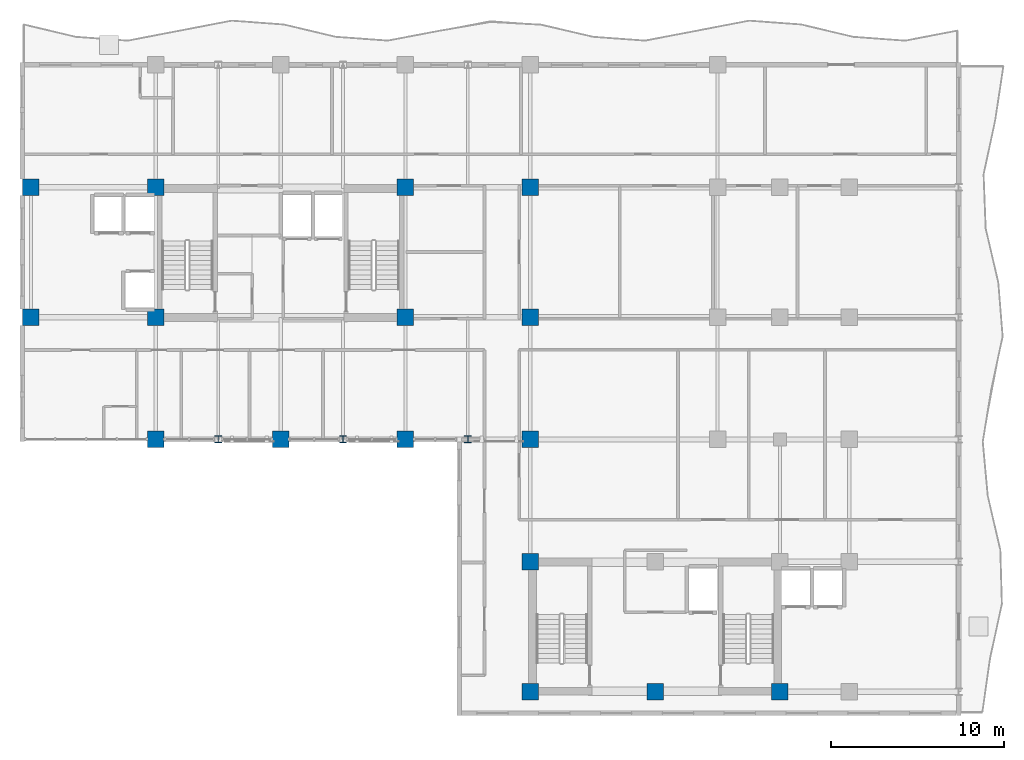
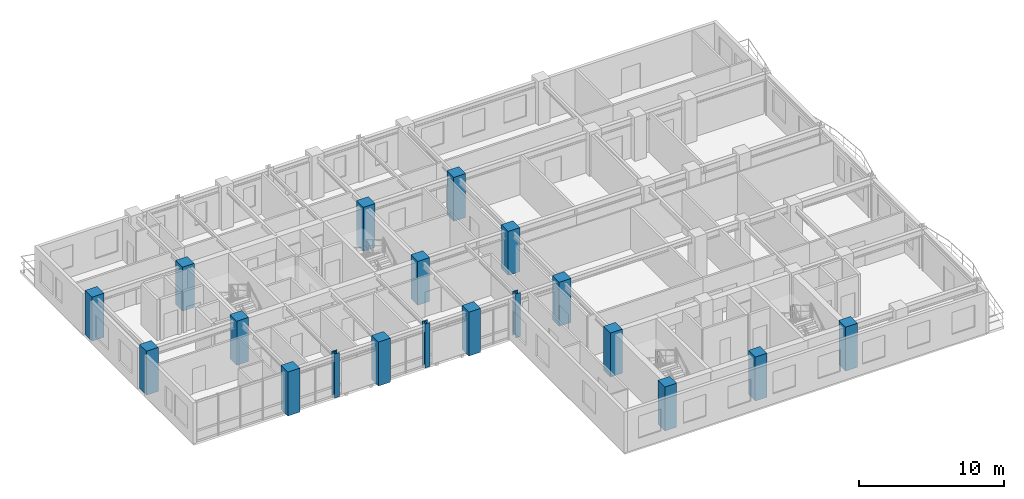
# One storey, part 1 of 16: 19 columns.
"""IFC4 building model written with IfcOpenShell, lengths in metres."""

import ifcopenshell
import ifcopenshell.guid

model = None  # the IFC model being written
_history = None  # IfcOwnerHistory: only IFC2X3 demands one
_inside = {}  # id of a spatial element -> (the spatial element, [elements in it])
_under = {}  # id of a project, library or spatial element -> (it, [spatial elements below it])
_declared = {}  # id of a project -> (the project, [libraries it declares])
_typed = {}  # id of a type object -> (the type object, [elements of that type])
_made_of = {}  # id of a material, layer set ... -> (it, [elements and type objects made of it])


def new_model(schema):
    """Start an empty IFC model of exactly this schema.

    Asked for "IFC4X3", IfcOpenShell would pick the latest addendum, in which some entities
    have other attributes; the version numbers below select the first issue.
    IFC2X3 requires an IfcOwnerHistory on every rooted entity: one is made here for all.
    """
    global model, _history
    if schema == "IFC4X3":
        model = ifcopenshell.file(schema_version=(4, 3, 0, 0))
    else:
        model = ifcopenshell.file(schema=schema)
    _inside.clear()
    _under.clear()
    _declared.clear()
    _typed.clear()
    _made_of.clear()
    _history = None
    if model.schema == "IFC2X3":
        org = make("IfcOrganization", Name="unknown")
        user = make(
            "IfcPersonAndOrganization",
            ThePerson=make("IfcPerson", FamilyName="unknown"),
            TheOrganization=org,
        )
        app = make(
            "IfcApplication",
            ApplicationDeveloper=org,
            Version="unknown",
            ApplicationFullName="unknown",
            ApplicationIdentifier="unknown",
        )
        _history = make(
            "IfcOwnerHistory",
            OwningUser=user,
            OwningApplication=app,
            ChangeAction="ADDED",
            CreationDate=0,
        )
    return model


def make(cls, **values):
    """One entity of the class cls with the attributes given. An attribute that is None is left unset."""
    return model.create_entity(
        cls, **{name: value for name, value in values.items() if value is not None}
    )


def rooted(cls, **values):
    """An entity with a GlobalId (a new one), such as an element, a storey or a relation."""
    return make(cls, GlobalId=ifcopenshell.guid.new(), OwnerHistory=_history, **values)


def si_unit(unit_type, name, prefix=None):
    """IfcSIUnit, for example si_unit("LENGTHUNIT", "METRE", prefix="MILLI")."""
    return make("IfcSIUnit", UnitType=unit_type, Prefix=prefix, Name=name)


def assignment(units):
    """IfcUnitAssignment: the units of a project."""
    return None if units is None else make("IfcUnitAssignment", Units=units)


def point(xyz):
    """IfcCartesianPoint."""
    return None if xyz is None else make("IfcCartesianPoint", Coordinates=xyz)


def direction(xyz):
    """IfcDirection."""
    return None if xyz is None else make("IfcDirection", DirectionRatios=xyz)


def frame(location, z_axis=None, x_axis=None):
    """IfcAxis2Placement3D, a coordinate frame: its origin and axes. An axis left out is left unset."""
    return make(
        "IfcAxis2Placement3D",
        Location=point(location),
        Axis=direction(z_axis),
        RefDirection=direction(x_axis),
    )


def frame_2d(location, x_axis=None):
    """IfcAxis2Placement2D, a coordinate frame in the plane: its origin and x axis."""
    return make(
        "IfcAxis2Placement2D", Location=point(location), RefDirection=direction(x_axis)
    )


def origin():
    """The frame at (0, 0, 0) with its axes left unset."""
    return frame((0.0, 0.0, 0.0))


def origin_2d():
    """The frame at (0, 0) in the plane with its x axis left unset."""
    return frame_2d((0.0, 0.0))


def place(relative_to, where):
    """IfcLocalPlacement: puts the frame where relative to a parent placement (None: the world)."""
    return make(
        "IfcLocalPlacement", PlacementRelTo=relative_to, RelativePlacement=where
    )


def context(
    kind, dimensions, precision=None, world=None, true_north=None, identifier=None
):
    """IfcGeometricRepresentationContext, for example the 3D "Model" context."""
    return make(
        "IfcGeometricRepresentationContext",
        ContextIdentifier=identifier,
        ContextType=kind,
        CoordinateSpaceDimension=dimensions,
        Precision=precision,
        WorldCoordinateSystem=world,
        TrueNorth=true_north,
    )


def subcontext(parent, identifier, kind, view, scale=None):
    """IfcGeometricRepresentationSubContext, for example "Body" below "Model"."""
    return make(
        "IfcGeometricRepresentationSubContext",
        ContextIdentifier=identifier,
        ContextType=kind,
        ParentContext=parent,
        TargetScale=scale,
        TargetView=view,
    )


def project(units=None, contexts=None):
    """IfcProject with its units and contexts."""
    return rooted(
        "IfcProject",
        Name="project",
        RepresentationContexts=contexts,
        UnitsInContext=assignment(units),
    )


def spatial(cls, under=None, at=None, **own):
    """A site, building, storey or space (cls), placed at a placement, below another one or the project."""
    s = rooted(cls, ObjectPlacement=at, **own)
    if under is not None:
        _under.setdefault(under.id(), (under, []))[1].append(s)
    return s


def profile(cls, at=None, kind="AREA", **sizes):
    """A parametric profile (cls). Its sizes go by their IFC names, for example OverallWidth=200.0."""
    return make(cls, ProfileType=kind, Position=at, **sizes)


def rectangle(**sizes):
    """IfcRectangleProfileDef."""
    return profile("IfcRectangleProfileDef", **sizes)


def i_section(**sizes):
    """IfcIShapeProfileDef."""
    return profile("IfcIShapeProfileDef", **sizes)


def extrude(swept, where, along, depth):
    """IfcExtrudedAreaSolid: the profile swept, set in the frame where, extruded along a direction by depth."""
    return make(
        "IfcExtrudedAreaSolid",
        SweptArea=swept,
        Position=where,
        ExtrudedDirection=direction(along),
        Depth=depth,
    )


def shape(context_of_items, identifier, shape_type, items):
    """IfcShapeRepresentation: the items that make up one representation, for example the "Body"."""
    return make(
        "IfcShapeRepresentation",
        ContextOfItems=context_of_items,
        RepresentationIdentifier=identifier,
        RepresentationType=shape_type,
        Items=items,
    )


def source(mapping_origin, context_of_items, identifier, shape_type, items):
    """IfcRepresentationMap: a shape defined once, which mapped items show again and again."""
    return make(
        "IfcRepresentationMap",
        MappingOrigin=mapping_origin,
        MappedRepresentation=shape(context_of_items, identifier, shape_type, items),
    )


def transform(
    local_origin,
    x_axis=None,
    y_axis=None,
    z_axis=None,
    scale=None,
    scale2=None,
    scale3=None,
    uniform=True,
):
    """IfcCartesianTransformationOperator3D, or its non-uniform kind. x_axis, y_axis, z_axis: its Axis1, 2, 3."""
    if uniform:
        return make(
            "IfcCartesianTransformationOperator3D",
            Axis1=direction(x_axis),
            Axis2=direction(y_axis),
            LocalOrigin=point(local_origin),
            Scale=scale,
            Axis3=direction(z_axis),
        )
    return make(
        "IfcCartesianTransformationOperator3DnonUniform",
        Axis1=direction(x_axis),
        Axis2=direction(y_axis),
        LocalOrigin=point(local_origin),
        Scale=scale,
        Axis3=direction(z_axis),
        Scale2=scale2,
        Scale3=scale3,
    )


def mapped(mapping_source, mapping_target):
    """IfcMappedItem: shows the shape of a source again, moved by a transform."""
    return make(
        "IfcMappedItem", MappingSource=mapping_source, MappingTarget=mapping_target
    )


def material(Name=None, Category=None):
    """IfcMaterial."""
    return make("IfcMaterial", Name=Name, Category=Category)


def material_profile(
    of_material, cross_section, Name=None, Category=None, Priority=None
):
    """IfcMaterialProfile: a cross section and its material."""
    return make(
        "IfcMaterialProfile",
        Name=Name,
        Material=of_material,
        Profile=cross_section,
        Priority=Priority,
        Category=Category,
    )


def profile_set(profiles, Name=None, composite=None):
    """IfcMaterialProfileSet."""
    return make(
        "IfcMaterialProfileSet",
        Name=Name,
        MaterialProfiles=profiles,
        CompositeProfile=composite,
    )


def made_of(thing, what):
    """Note that an element or type object is made of a material, layer set ...; save() writes the relation."""
    if what is not None:
        _made_of.setdefault(what.id(), (what, []))[1].append(thing)
    return thing


def type_object(cls, material=None, **own):
    """A type object (cls), such as IfcWallType, which elements share."""
    return made_of(rooted(cls, **own), material)


def element(
    cls,
    number,
    at=None,
    inside=None,
    cuts=None,
    type_object=None,
    material=None,
    context=None,
    identifier="Body",
    shape_type=None,
    held_by="IfcProductDefinitionShape",
    body=None,
    shapes=None,
    **own,
):
    """One element of the class cls, such as IfcWall. Its Tag is "e" and its number.

    at: its placement. inside: the storey or other place that contains it. cuts: it is an
    opening in that element (IfcRelVoidsElement). A single representation is given by context,
    identifier, shape_type and body (its items); several are given by shapes. held_by: the class
    of the entity that holds the representations. save() writes the other relations.
    """
    e = rooted(cls, Tag="e%d" % number, ObjectPlacement=at, **own)
    if body is not None:
        shapes = [shape(context, identifier, shape_type, body)]
    if shapes is not None:
        e.Representation = make(held_by, Representations=shapes)
    if inside is not None:
        _inside.setdefault(inside.id(), (inside, []))[1].append(e)
    if cuts is not None:
        rooted(
            "IfcRelVoidsElement", RelatingBuildingElement=cuts, RelatedOpeningElement=e
        )
    if type_object is not None:
        _typed.setdefault(type_object.id(), (type_object, []))[1].append(e)
    return made_of(e, material)


def aggregate(whole, parts):
    """IfcRelAggregates: a whole, such as a stair, and the parts it consists of."""
    return rooted("IfcRelAggregates", RelatingObject=whole, RelatedObjects=parts)


def save(model, path):
    """Write the relations noted so far, then the file.

    IfcRelAggregates (storeys below a building ...), IfcRelContainedInSpatialStructure (elements
    in a storey), IfcRelDefinesByType, IfcRelAssociatesMaterial and IfcRelDeclares: one each for
    every whole, place, type object, material and project.
    """
    for whole, parts in _under.values():
        aggregate(whole, parts)
    for where, things in _inside.values():
        rooted(
            "IfcRelContainedInSpatialStructure",
            RelatedElements=things,
            RelatingStructure=where,
        )
    for kind, things in _typed.values():
        rooted("IfcRelDefinesByType", RelatedObjects=things, RelatingType=kind)
    for what, things in _made_of.values():
        rooted("IfcRelAssociatesMaterial", RelatedObjects=things, RelatingMaterial=what)
    for by, libraries in _declared.values():
        rooted("IfcRelDeclares", RelatingContext=by, RelatedDefinitions=libraries)
    model.write(path)


model = new_model("IFC4")

# Units and contexts
model_context = context("Model", 3, precision=1e-05, world=origin(), true_north=direction((0.0, 1.0)))
body_context = subcontext(model_context, "Body", "Model", "MODEL_VIEW")
ifc_project = project(units=[si_unit("LENGTHUNIT", "METRE"), si_unit("AREAUNIT", "SQUARE_METRE"), si_unit("VOLUMEUNIT", "CUBIC_METRE"), si_unit("PLANEANGLEUNIT", "RADIAN"), si_unit("MASSUNIT", "GRAM", prefix="KILO")], contexts=[model_context])

# Site, building, storey
site_placement = place(None, origin())
site = spatial("IfcSite", under=ifc_project, at=site_placement, CompositionType="ELEMENT")
building_placement = place(site_placement, origin())
building = spatial("IfcBuilding", under=site, at=building_placement, Name="Kaliganga Portal Commons", CompositionType="ELEMENT")
storey_placement = place(building_placement, frame((0.0, 0.0, 205.5)))
storey = spatial("IfcBuildingStorey", under=building, at=storey_placement, Name="L52", CompositionType="ELEMENT", Elevation=205.5)

# Columns
ifc_material_1 = material(Name="Concrete C50/60", Category="concrete")
ifc_material_profile_1 = material_profile(ifc_material_1, rectangle(XDim=0.949951171875, YDim=0.949951171875, at=origin_2d()), Name="RC 950x950")
ifc_profile_set_1 = profile_set([ifc_material_profile_1], Name="Concrete C50/60")
column_type_1 = type_object("IfcColumnType", Name="COL-MEGA-Z4", PredefinedType="COLUMN", material=ifc_profile_set_1)
shared_shape_1 = source(origin(), body_context, "Body", "SweptSolid", [
    extrude(rectangle(XDim=0.949951171875, YDim=0.949951171875, at=origin_2d()), origin(), (0.0, 0.0, 1.0), 3.699951171875),
])
for number, where, z_axis, x_axis, name in (
    (1, (7.199951171875, 28.64990234375, 0.0), (0.0, 0.0, 1.0), (1.0, 0.0, 0.0), "Column MC-05 L52"),
    (2, (7.199951171875, 36.14990234375, 0.0), (0.0, 0.0, 1.0), (1.0, 0.0, 0.0), "Column MC-05 L52"),
    (3, (14.39990234375, 21.60009765625, 0.0), (0.0, 0.0, 1.0), (1.0, 0.0, 0.0), "Column MC-05 L52"),
    (4, (14.39990234375, 28.64990234375, 0.0), (0.0, 0.0, 1.0), (1.0, 0.0, 0.0), "Column MC-05 L52"),
    (5, (14.39990234375, 36.14990234375, 0.0), (0.0, 0.0, 1.0), (1.0, 0.0, 0.0), "Column MC-05 L52"),
    (6, (21.60009765625, 21.60009765625, 0.0), (0.0, 0.0, 1.0), (1.0, 0.0, 0.0), "Column MC-05 L52"),
    (7, (28.800048828125, 21.60009765625, 0.0), (0.0, 0.0, 1.0), (1.0, 0.0, 0.0), "Column MC-05 L52"),
    (8, (28.800048828125, 28.64990234375, 0.0), (0.0, 0.0, 1.0), (1.0, 0.0, 0.0), "Column MC-05 L52"),
    (9, (28.800048828125, 36.14990234375, 0.0), (0.0, 0.0, 1.0), (1.0, 0.0, 0.0), "Column MC-05 L52"),
    (10, (36.0, 21.60009765625, 0.0), (0.0, 0.0, 1.0), (1.0, 0.0, 0.0), "Column MC-05 L52"),
    (11, (36.0, 28.64990234375, 0.0), (0.0, 0.0, 1.0), (1.0, 0.0, 0.0), "Column MC-05 L52"),
    (12, (36.0, 36.14990234375, 0.0), (0.0, 0.0, 1.0), (1.0, 0.0, 0.0), "Column MC-05 L52"),
    (13, (36.0, 7.050048828125, 0.0), (0.0, 0.0, 1.0), (1.0, 0.0, 0.0), "Column MC-05 L52"),
    (14, (36.0, 14.550048828125, 0.0), (0.0, 0.0, 1.0), (1.0, 0.0, 0.0), "Column MC-05 L52"),
    (15, (43.199951171875, 7.050048828125, 0.0), (0.0, 0.0, 1.0), (1.0, 0.0, 0.0), "Column MC-05 L52"),
    (16, (50.39990234375, 7.050048828125, 0.0), (0.0, 0.0, 1.0), (1.0, 0.0, 0.0), "Column MC-05 L52"),
):
    element("IfcColumn", number, at=place(storey_placement, frame(where, z_axis=z_axis, x_axis=x_axis)), inside=storey, type_object=column_type_1, Name=name, PredefinedType="COLUMN", context=body_context, shape_type="MappedRepresentation", body=[
        mapped(shared_shape_1, transform((0.0, 0.0, 0.0), x_axis=(1.0, 0.0, 0.0), y_axis=(0.0, 1.0, 0.0), z_axis=(0.0, 0.0, 1.0), scale=1.0)),
    ])
ifc_material_2 = material(Name="Structural steel S355J2", Category="steel")
ifc_material_profile_2 = material_profile(ifc_material_2, i_section(OverallWidth=0.39892578125, OverallDepth=0.39990234375, WebThickness=0.017333984375, FlangeThickness=0.0234375, FilletRadius=0.014892578125, at=origin_2d()), Name="HD 400x287")
ifc_profile_set_2 = profile_set([ifc_material_profile_2], Name="Structural steel S355J2 wide-flange")
column_type_2 = type_object("IfcColumnType", Name="COL-TUBE-B4", PredefinedType="COLUMN", material=ifc_profile_set_2)
shared_shape_2 = source(origin(), body_context, "Body", "SweptSolid", [
    extrude(i_section(OverallWidth=0.39892578125, OverallDepth=0.39990234375, WebThickness=0.017333984375, FlangeThickness=0.0234375, FilletRadius=0.014892578125, at=origin_2d()), origin(), (0.0, 0.0, 1.0), 3.699951171875),
])
for number, where, z_axis, x_axis, name in (
    (17, (18.0, 21.60009765625, 0.0), (0.0, 0.0, 1.0), (1.0, 0.0, 0.0), "Column TC-04 L52"),
    (18, (25.199951171875, 21.60009765625, 0.0), (0.0, 0.0, 1.0), (1.0, 0.0, 0.0), "Column TC-04 L52"),
    (19, (32.39990234375, 21.60009765625, 0.0), (0.0, 0.0, 1.0), (1.0, 0.0, 0.0), "Column TC-04 L52"),
):
    element("IfcColumn", number, at=place(storey_placement, frame(where, z_axis=z_axis, x_axis=x_axis)), inside=storey, type_object=column_type_2, Name=name, PredefinedType="COLUMN", context=body_context, shape_type="MappedRepresentation", body=[
        mapped(shared_shape_2, transform((0.0, 0.0, 0.0), x_axis=(1.0, 0.0, 0.0), y_axis=(0.0, 1.0, 0.0), z_axis=(0.0, 0.0, 1.0), scale=1.0)),
    ])

save(model, "model.ifc")
